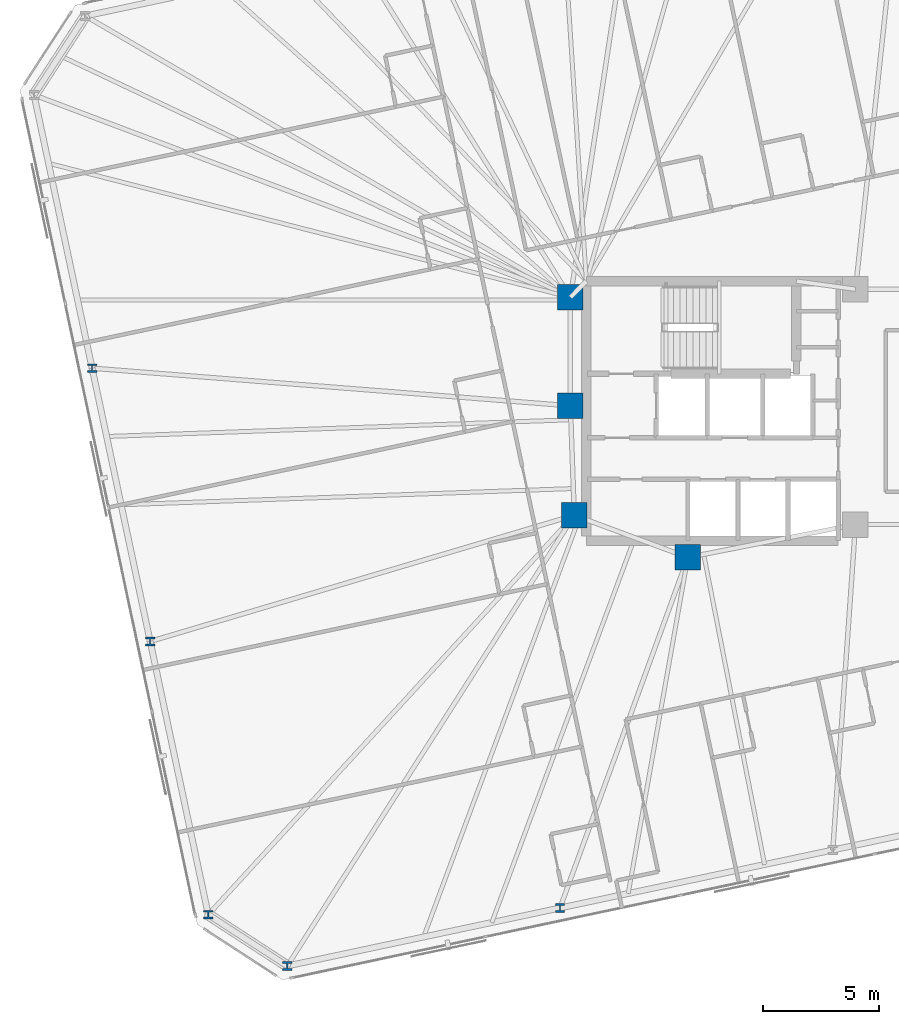
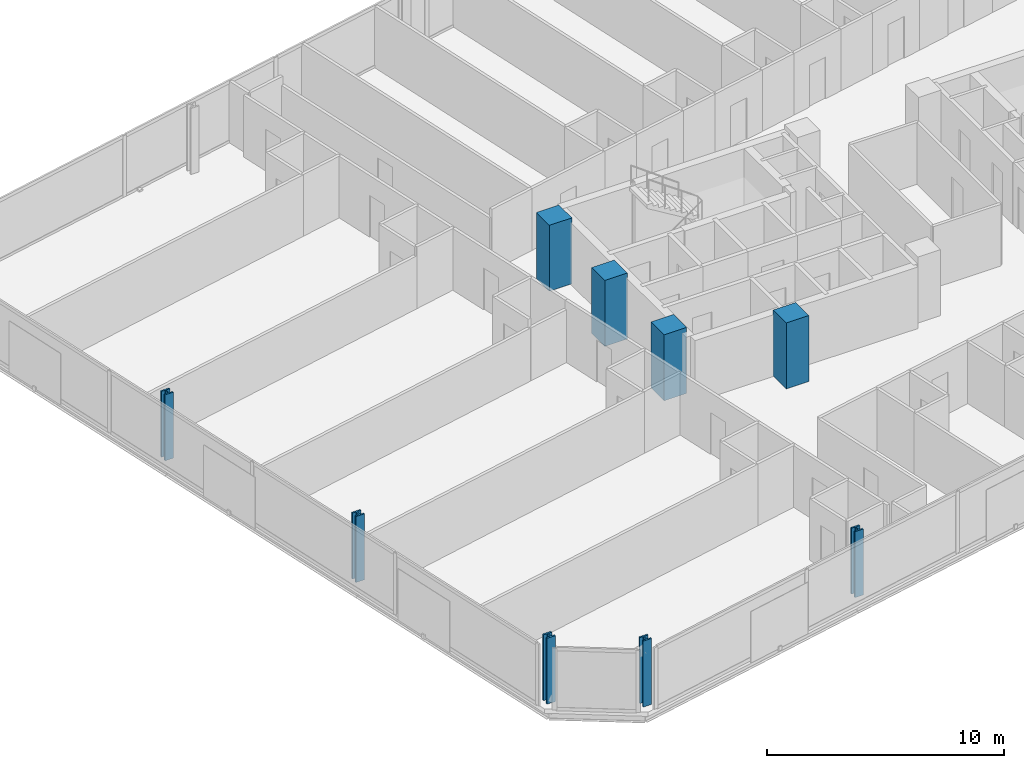
# One storey, part 1 of 21: 9 columns.
"""IFC4 building model written with IfcOpenShell, lengths in metres."""

from ifc_helpers import new_model, si_unit, direction, frame, origin, origin_2d, place, context, subcontext, project, spatial, rectangle, i_section, extrude, material, material_profile, profile_set, type_object, element, save


model = new_model("IFC4")

# Units and contexts
model_context = context("Model", 3, precision=1e-05, world=origin(), true_north=direction((0.0, 1.0)))
body_context = subcontext(model_context, "Body", "Model", "MODEL_VIEW")
ifc_project = project(units=[si_unit("LENGTHUNIT", "METRE"), si_unit("AREAUNIT", "SQUARE_METRE"), si_unit("VOLUMEUNIT", "CUBIC_METRE"), si_unit("PLANEANGLEUNIT", "RADIAN"), si_unit("MASSUNIT", "GRAM", prefix="KILO")], contexts=[model_context])

# Site, building, storey
site_placement = place(None, origin())
site = spatial("IfcSite", under=ifc_project, at=site_placement, CompositionType="ELEMENT")
building_placement = place(site_placement, origin())
building = spatial("IfcBuilding", under=site, at=building_placement, Name="Menara Jurai Vektor", CompositionType="ELEMENT")
storey_placement = place(building_placement, frame((0.0, 0.0, 165.0)))
storey = spatial("IfcBuildingStorey", under=building, at=storey_placement, Name="L42", CompositionType="ELEMENT", Elevation=165.0)

# Columns
ifc_material_1 = material(Name="Concrete C50/60", Category="concrete")
ifc_material_profile_1 = material_profile(ifc_material_1, rectangle(XDim=1.10009765625, YDim=1.10009765625, at=origin_2d()), Name="RC 1100x1100")
ifc_profile_set_1 = profile_set([ifc_material_profile_1], Name="Concrete C50/60")
column_type_1 = type_object("IfcColumnType", Name="STR-COL-RC1100", PredefinedType="COLUMN", material=ifc_profile_set_1)
for number, where, z_axis, x_axis, name in (
    (1, (-15.25, 4.89990234375, 0.0), (0.0, 0.0, 1.0), (1.0, 0.0, 0.0), "Core Spine Column CW-NW L42"),
    (2, (-15.25, 0.219970703125, 0.0), (0.0, 0.0, 1.0), (1.0, 0.0, 0.0), "Core Spine Column CW-WM L42"),
    (3, (-15.080078125, -4.5, 0.0), (0.0, 0.0, 1.0), (1.0, 0.0, 0.0), "Core Spine Column CW-SW L42"),
    (4, (-10.179931640625, -6.320068359375, 0.0), (0.0, 0.0, 1.0), (1.0, 0.0, 0.0), "Core Spine Column CW-SM L42"),
):
    element("IfcColumn", number, at=place(storey_placement, frame(where, z_axis=z_axis, x_axis=x_axis)), inside=storey, type_object=column_type_1, Name=name, PredefinedType="COLUMN", context=body_context, shape_type="SweptSolid", body=[
        extrude(rectangle(XDim=1.10009765625, YDim=1.10009765625, at=origin_2d()), origin(), (0.0, 0.0, 1.0), 3.39990234375),
    ])
ifc_material_2 = material(Name="Steel S460", Category="steel")
ifc_material_profile_2 = material_profile(ifc_material_2, i_section(OverallWidth=0.408935546875, OverallDepth=0.3740234375, WebThickness=0.048095703125, FlangeThickness=0.076904296875, FilletRadius=0.014892578125, at=origin_2d()), Name="HD 400x634")
ifc_profile_set_2 = profile_set([ifc_material_profile_2], Name="Steel S460")
column_type_2 = type_object("IfcColumnType", Name="STR-EXO-BLK3", PredefinedType="COLUMN", material=ifc_profile_set_2)
for number, where, z_axis, x_axis, name in (
    (5, (-27.46484375, -23.94580078125, 0.0), (0.0, 0.0, 1.0), (1.0, 0.0, 0.0), "Exoskeleton Column BLK3-S1 L42"),
    (6, (-15.696533203125, -21.4443359375, 0.0), (0.0, 0.0, 1.0), (1.0, 0.0, 0.0), "Exoskeleton Column BLK3-S2 L42"),
    (7, (-35.8828125, 1.843505859375, 0.0), (0.0, 0.0, 1.0), (1.0, 0.0, 0.0), "Exoskeleton Column BLK3-W2 L42"),
    (8, (-33.377197265625, -9.945068359375, 0.0), (0.0, 0.0, 1.0), (1.0, 0.0, 0.0), "Exoskeleton Column BLK3-W3 L42"),
    (9, (-30.871337890625, -21.7333984375, 0.0), (0.0, 0.0, 1.0), (1.0, 0.0, 0.0), "Exoskeleton Column BLK3-W4 L42"),
):
    element("IfcColumn", number, at=place(storey_placement, frame(where, z_axis=z_axis, x_axis=x_axis)), inside=storey, type_object=column_type_2, Name=name, PredefinedType="COLUMN", context=body_context, shape_type="SweptSolid", body=[
        extrude(i_section(OverallWidth=0.408935546875, OverallDepth=0.3740234375, WebThickness=0.048095703125, FlangeThickness=0.076904296875, FilletRadius=0.014892578125, at=origin_2d()), origin(), (0.0, 0.0, 1.0), 3.39990234375),
    ])

save(model, "model.ifc")
